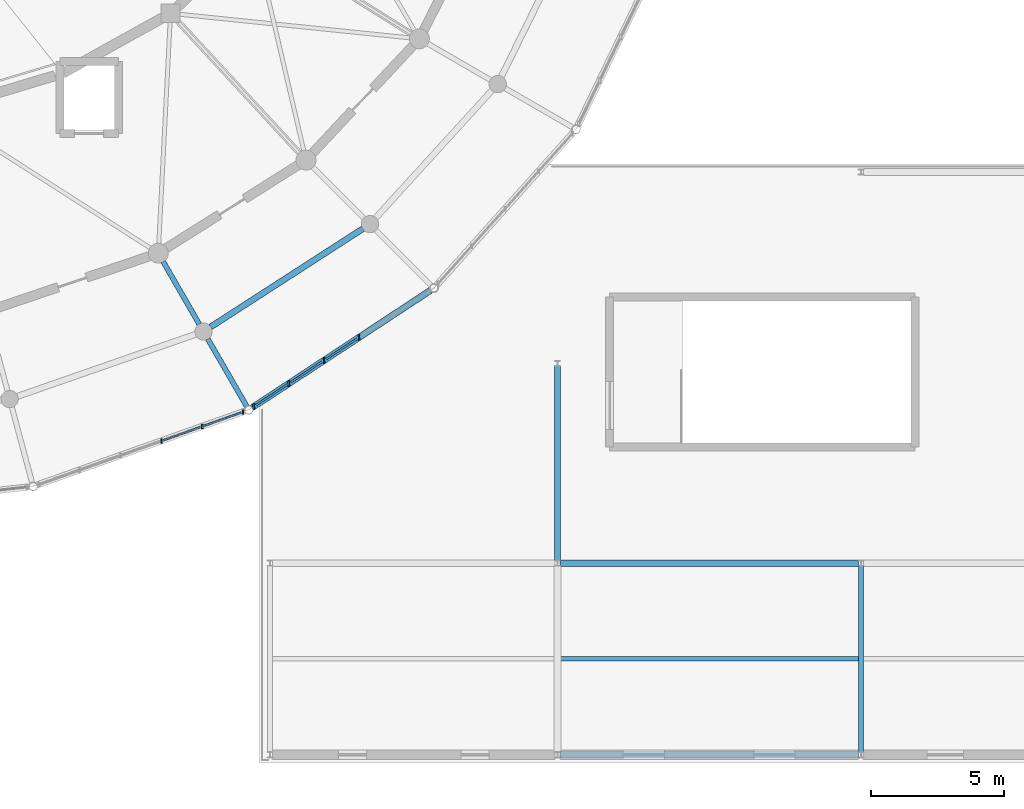
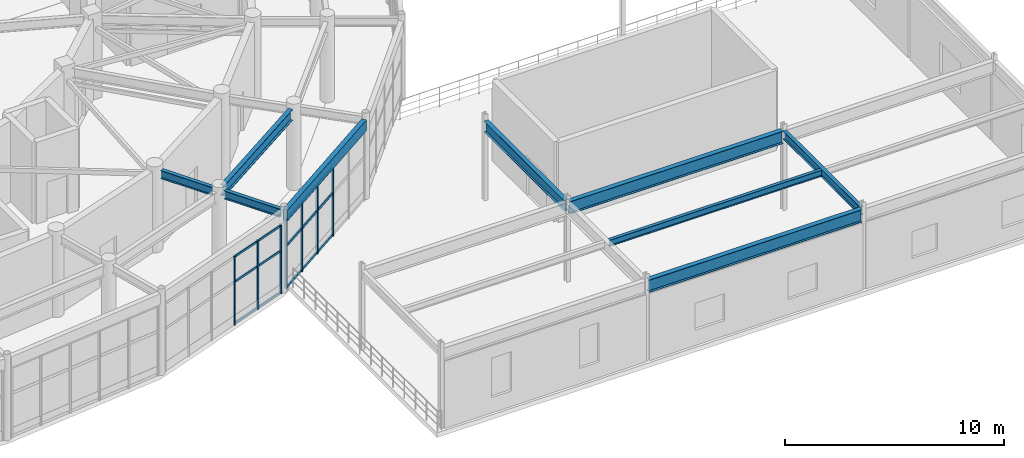
# One storey, part 70 of 144: 22 members, 9 beams, 2 elements without a shape of their own.
"""IFC4 building model written with IfcOpenShell, lengths in metres."""

from ifc_helpers import new_model, si_unit, direction, frame, origin, origin_2d, place, context, subcontext, project, spatial, rectangle, i_section, extrude, material, material_profile, profile_set, type_object, element, aggregate, save


model = new_model("IFC4")

# Units and contexts
model_context = context("Model", 3, precision=1e-05, world=origin(), true_north=direction((0.0, 1.0)))
body_context = subcontext(model_context, "Body", "Model", "MODEL_VIEW")
ifc_project = project(units=[si_unit("LENGTHUNIT", "METRE"), si_unit("AREAUNIT", "SQUARE_METRE"), si_unit("VOLUMEUNIT", "CUBIC_METRE"), si_unit("PLANEANGLEUNIT", "RADIAN"), si_unit("MASSUNIT", "GRAM", prefix="KILO")], contexts=[model_context])

# Site, building, storey
site_placement = place(None, origin())
site = spatial("IfcSite", under=ifc_project, at=site_placement, CompositionType="ELEMENT")
building_placement = place(site_placement, origin())
building = spatial("IfcBuilding", under=site, at=building_placement, Name="Cinderbank Siding Concert Hall", CompositionType="ELEMENT")
storey_placement = place(building_placement, frame((0.0, 0.0, 5.39990234375)))
storey = spatial("IfcBuildingStorey", under=building, at=storey_placement, Name="L02", CompositionType="ELEMENT", Elevation=5.39990234375)

# Beams
ifc_material_1 = material(Name="Structural steel AS/NZS 3679.1 Grade 350 (340 MPa)", Category="steel")
ifc_material_profile_1 = material_profile(ifc_material_1, i_section(OverallWidth=0.18994140625, OverallDepth=0.45751953125, WebThickness=0.009033203125, FlangeThickness=0.014404296875, at=origin_2d()), Name="460UB74.6", Category="LoadBearing")
ifc_profile_set_1 = profile_set([ifc_material_profile_1], Name="Structural steel AS/NZS 3679.1 Grade 350 (340 MPa)")
beam_type_1 = type_object("IfcBeamType", Name="BM-UB460 460UB74.6", PredefinedType="BEAM", material=ifc_profile_set_1)
beam_1_placement = place(storey_placement, frame((161.800048828125, 6.194580078125, 4.223388671875), z_axis=(0.0, 1.0, 0.0), x_axis=(-1.0, 0.0, 0.0)))
element("IfcBeam", 1, at=beam_1_placement, inside=storey, type_object=beam_type_1, Name="L02 Beam BM-UB460 #1603", PredefinedType="BEAM", context=body_context, shape_type="SweptSolid", body=[
    extrude(i_section(OverallWidth=0.18994140625, OverallDepth=0.45751953125, WebThickness=0.009033203125, FlangeThickness=0.014404296875, at=origin_2d()), origin(), (0.0, 0.0, 1.0), 7.010986328125),
])
ifc_material_profile_2 = material_profile(ifc_material_1, i_section(OverallWidth=0.19091796875, OverallDepth=0.46044921875, WebThickness=0.010009765625, FlangeThickness=0.01611328125, at=origin_2d()), Name="460UB82.1", Category="LoadBearing")
ifc_profile_set_2 = profile_set([ifc_material_profile_2], Name="Structural steel AS/NZS 3679.1 Grade 350 (340 MPa)")
beam_type_2 = type_object("IfcBeamType", Name="BM-UB460H 460UB82.1", PredefinedType="BEAM", material=ifc_profile_set_2)
beam_2_placement = place(storey_placement, frame((135.58349609375, 24.629638671875, 4.2919921875), z_axis=(0.499987022033, -0.866032896488, 0.0), x_axis=(0.866032896488, 0.499987022033, 0.0)))
element("IfcBeam", 2, at=beam_2_placement, inside=storey, type_object=beam_type_2, Name="L02 Beam BM-UB460H #516", PredefinedType="BEAM", context=body_context, shape_type="SweptSolid", body=[
    extrude(i_section(OverallWidth=0.19091796875, OverallDepth=0.46044921875, WebThickness=0.010009765625, FlangeThickness=0.01611328125, at=origin_2d()), origin(), (0.0, 0.0, 1.0), 2.7158203125),
])
beam_3_placement = place(storey_placement, frame((137.258544921875, 21.728515625, 4.331787109375), z_axis=(0.499958157915, -0.866049559976, 0.0), x_axis=(0.866049559976, 0.499958157915, 0.0)))
element("IfcBeam", 3, at=beam_3_placement, inside=storey, type_object=beam_type_2, Name="L02 Beam BM-UB460H #541", PredefinedType="BEAM", context=body_context, shape_type="SweptSolid", body=[
    extrude(i_section(OverallWidth=0.19091796875, OverallDepth=0.46044921875, WebThickness=0.010009765625, FlangeThickness=0.01611328125, at=origin_2d()), origin(), (0.0, 0.0, 1.0), 2.928955078125),
])
ifc_material_profile_3 = material_profile(ifc_material_1, i_section(OverallWidth=0.22802734375, OverallDepth=0.602294921875, WebThickness=0.010498046875, FlangeThickness=0.014892578125, at=origin_2d()), Name="610UB101", Category="LoadBearing")
ifc_profile_set_3 = profile_set([ifc_material_profile_3], Name="Structural steel AS/NZS 3679.1 Grade 350 (340 MPa)")
beam_type_3 = type_object("IfcBeamType", Name="BM-UB610 610UB101", PredefinedType="BEAM", material=ifc_profile_set_3)
beam_4_placement = place(storey_placement, frame((150.39990234375, 13.39453125, 4.15087890625), z_axis=(0.0, 1.0, 0.0), x_axis=(-1.0, 0.0, 0.0)))
element("IfcBeam", 4, at=beam_4_placement, inside=storey, type_object=beam_type_3, Name="L02 Beam BM-UB610 #1601", PredefinedType="BEAM", context=body_context, shape_type="SweptSolid", body=[
    extrude(i_section(OverallWidth=0.22802734375, OverallDepth=0.602294921875, WebThickness=0.010498046875, FlangeThickness=0.014892578125, at=origin_2d()), origin(), (0.0, 0.0, 1.0), 7.31103515625),
])
ifc_material_profile_4 = material_profile(ifc_material_1, i_section(OverallWidth=0.22802734375, OverallDepth=0.60693359375, WebThickness=0.01123046875, FlangeThickness=0.017333984375, at=origin_2d()), Name="610UB113", Category="LoadBearing")
ifc_profile_set_4 = profile_set([ifc_material_profile_4], Name="Structural steel AS/NZS 3679.1 Grade 350 (340 MPa)")
beam_type_4 = type_object("IfcBeamType", Name="BM-UB610M 610UB113", PredefinedType="BEAM", material=ifc_profile_set_4)
beam_5_placement = place(storey_placement, frame((137.3662109375, 22.1748046875, 4.218505859375), z_axis=(0.840219727246, 0.542246078775, 0.0), x_axis=(-0.542246078775, 0.840219727246, 0.0)))
element("IfcBeam", 5, at=beam_5_placement, inside=storey, type_object=beam_type_4, Name="L02 Beam BM-UB610M #460", PredefinedType="BEAM", context=body_context, shape_type="SweptSolid", body=[
    extrude(i_section(OverallWidth=0.22802734375, OverallDepth=0.60693359375, WebThickness=0.01123046875, FlangeThickness=0.017333984375, at=origin_2d()), origin(), (0.0, 0.0, 1.0), 6.810302734375),
])
ifc_material_2 = material(Name="Structural steel welded plate section AS/NZS 3679.2 / AS/NZS 3678 Grade 350 (340 MPa)", Category="steel")
ifc_material_profile_5 = material_profile(ifc_material_2, i_section(OverallWidth=0.25, OverallDepth=0.699951171875, WebThickness=0.010009765625, FlangeThickness=0.01611328125, at=origin_2d()), Name="700WB130", Category="LoadBearing")
ifc_profile_set_5 = profile_set([ifc_material_profile_5], Name="Structural steel welded plate section AS/NZS 3679.2 / AS/NZS 3678 Grade 350 (340 MPa)")
beam_type_5 = type_object("IfcBeamType", Name="BM-WB700 700WB130", PredefinedType="BEAM", material=ifc_profile_set_5)
for number, where, z_axis, x_axis, name in (
    (6, (150.494384765625, 6.10009765625, 4.10205078125), (1.0, 0.0, 0.0), (0.0, 1.0, 0.0), "L02 Beam BM-WB700 #1598"),
    (7, (150.494384765625, 13.300048828125, 4.10205078125), (1.0, 0.0, 0.0), (0.0, 1.0, 0.0), "L02 Beam BM-WB700 #1600"),
):
    element("IfcBeam", number, at=place(storey_placement, frame(where, z_axis=z_axis, x_axis=x_axis)), inside=storey, type_object=beam_type_5, Name=name, PredefinedType="BEAM", context=body_context, shape_type="SweptSolid", body=[
        extrude(i_section(OverallWidth=0.25, OverallDepth=0.699951171875, WebThickness=0.010009765625, FlangeThickness=0.01611328125, at=origin_2d()), origin(), (0.0, 0.0, 1.0), 11.211181640625),
    ])

# Curtain wall, members
ifc_material_3 = material(Name="Anodised aluminium alloy 6063-T6", Category="aluminium")
curtain_wall_type_1 = type_object("IfcCurtainWallType", Name="CW-08 Unitised Acoustic Curtain Wall 6400x3800", PredefinedType="NOTDEFINED", material=ifc_material_3)
curtain_wall_1_placement = place(storey_placement, origin())
curtain_wall_1 = element("IfcCurtainWall", 8, at=curtain_wall_1_placement, inside=storey, type_object=curtain_wall_type_1, Name="L02 Curtain Wall CW-08 #20", PredefinedType="NOTDEFINED")
ifc_material_profile_6 = material_profile(ifc_material_3, rectangle(XDim=0.06005859375, YDim=0.159912109375, at=origin_2d()), Name="ALU-MULL-60x160", Category="LoadBearing")
ifc_profile_set_6 = profile_set([ifc_material_profile_6], Name="Anodised aluminium alloy 6063-T6")
member_type_1 = type_object("IfcMemberType", Name="CW-ML1 Mullion 60x160", PredefinedType="MULLION", material=ifc_profile_set_6)
member_1_placement = place(storey_placement, frame((135.515625, 17.892333984375, 0.0), z_axis=(0.0, 0.0, 1.0), x_axis=(1.0, 0.0, 0.0)))
member_1 = element("IfcMember", 9, at=member_1_placement, type_object=member_type_1, Name="CW-L02-020 Mullion 3", PredefinedType="MULLION", context=body_context, shape_type="SweptSolid", body=[
    extrude(rectangle(XDim=0.06005859375, YDim=0.159912109375, at=origin_2d()), origin(), (0.0, 0.0, 1.0), 3.837158203125),
])
member_2_placement = place(storey_placement, frame((137.05078125, 18.4375, 0.0), z_axis=(0.0, 0.0, 1.0), x_axis=(1.0, 0.0, 0.0)))
member_2 = element("IfcMember", 10, at=member_2_placement, type_object=member_type_1, Name="CW-L02-020 Mullion 4", PredefinedType="MULLION", context=body_context, shape_type="SweptSolid", body=[
    extrude(rectangle(XDim=0.06005859375, YDim=0.159912109375, at=origin_2d()), origin(), (0.0, 0.0, 1.0), 3.837158203125),
])
member_3_placement = place(storey_placement, frame((138.586181640625, 18.982666015625, 0.0), z_axis=(0.0, 0.0, 1.0), x_axis=(1.0, 0.0, 0.0)))
member_3 = element("IfcMember", 11, at=member_3_placement, type_object=member_type_1, Name="CW-L02-020 Mullion 5", PredefinedType="MULLION", context=body_context, shape_type="SweptSolid", body=[
    extrude(rectangle(XDim=0.06005859375, YDim=0.159912109375, at=origin_2d()), origin(), (0.0, 0.0, 1.0), 3.837158203125),
])

curtain_wall_type_2 = type_object("IfcCurtainWallType", Name="CW-09 Unitised Acoustic Curtain Wall 8000x3500", PredefinedType="NOTDEFINED", material=ifc_material_3)
curtain_wall_2_placement = place(storey_placement, origin())
curtain_wall_2 = element("IfcCurtainWall", 12, at=curtain_wall_2_placement, inside=storey, type_object=curtain_wall_type_2, Name="L02 Curtain Wall CW-09 #21", PredefinedType="NOTDEFINED")
ifc_material_profile_7 = material_profile(ifc_material_3, rectangle(XDim=0.06494140625, YDim=0.199951171875, at=origin_2d()), Name="ALU-MULL-65x200", Category="LoadBearing")
ifc_profile_set_7 = profile_set([ifc_material_profile_7], Name="Anodised aluminium alloy 6063-T6")
member_type_2 = type_object("IfcMemberType", Name="CW-ML2 Mullion 65x200", PredefinedType="MULLION", material=ifc_profile_set_7)
member_4_placement = place(storey_placement, frame((138.989501953125, 19.18310546875, 0.0), z_axis=(0.0, 0.0, 1.0), x_axis=(1.0, 0.0, 0.0)))
member_4 = element("IfcMember", 13, at=member_4_placement, type_object=member_type_2, Name="CW-L02-021 Mullion 0", PredefinedType="MULLION", context=body_context, shape_type="SweptSolid", body=[
    extrude(rectangle(XDim=0.06494140625, YDim=0.199951171875, at=origin_2d()), origin(), (0.0, 0.0, 1.0), 3.837158203125),
])
member_5_placement = place(storey_placement, frame((140.305419921875, 20.048583984375, 0.0), z_axis=(0.0, 0.0, 1.0), x_axis=(1.0, 0.0, 0.0)))
member_5 = element("IfcMember", 14, at=member_5_placement, type_object=member_type_2, Name="CW-L02-021 Mullion 1", PredefinedType="MULLION", context=body_context, shape_type="SweptSolid", body=[
    extrude(rectangle(XDim=0.06494140625, YDim=0.199951171875, at=origin_2d()), origin(), (0.0, 0.0, 1.0), 3.837158203125),
])
member_6_placement = place(storey_placement, frame((141.621337890625, 20.914306640625, 0.0), z_axis=(0.0, 0.0, 1.0), x_axis=(1.0, 0.0, 0.0)))
member_6 = element("IfcMember", 15, at=member_6_placement, type_object=member_type_2, Name="CW-L02-021 Mullion 2", PredefinedType="MULLION", context=body_context, shape_type="SweptSolid", body=[
    extrude(rectangle(XDim=0.06494140625, YDim=0.199951171875, at=origin_2d()), origin(), (0.0, 0.0, 1.0), 3.837158203125),
])
member_7_placement = place(storey_placement, frame((142.9375, 21.779541015625, 0.0), z_axis=(0.0, 0.0, 1.0), x_axis=(1.0, 0.0, 0.0)))
member_7 = element("IfcMember", 16, at=member_7_placement, type_object=member_type_2, Name="CW-L02-021 Mullion 3", PredefinedType="MULLION", context=body_context, shape_type="SweptSolid", body=[
    extrude(rectangle(XDim=0.06494140625, YDim=0.199951171875, at=origin_2d()), origin(), (0.0, 0.0, 1.0), 3.837158203125),
])

# Member
ifc_material_profile_8 = material_profile(ifc_material_3, rectangle(XDim=0.06005859375, YDim=0.1201171875, at=origin_2d()), Name="ALU-TRAN-60x120", Category="LoadBearing")
ifc_profile_set_8 = profile_set([ifc_material_profile_8], Name="Anodised aluminium alloy 6063-T6")
member_type_3 = type_object("IfcMemberType", Name="CW-TR1 Transom 60x120", PredefinedType="USERDEFINED", material=ifc_profile_set_8)
member_8_placement = place(storey_placement, frame((135.592529296875, 17.919677734375, 0.06005859375), z_axis=(0.942376945381, 0.334552974602, 0.0), x_axis=(-0.334552974602, 0.942376945381, 0.0)))
member_8 = element("IfcMember", 17, at=member_8_placement, type_object=member_type_3, Name="CW-L02-020 Transom 3-0", ObjectType="TRANSOM", PredefinedType="USERDEFINED", context=body_context, shape_type="SweptSolid", body=[
    extrude(rectangle(XDim=0.06005859375, YDim=0.1201171875, at=origin_2d()), origin(), (0.0, 0.0, 1.0), 1.466064453125),
])

member_9_placement = place(storey_placement, frame((135.592529296875, 17.919677734375, 2.37890625), z_axis=(0.942376945381, 0.334552974602, 0.0), x_axis=(-0.334552974602, 0.942376945381, 0.0)))
member_9 = element("IfcMember", 18, at=member_9_placement, type_object=member_type_3, Name="CW-L02-020 Transom 3-1", ObjectType="TRANSOM", PredefinedType="USERDEFINED", context=body_context, shape_type="SweptSolid", body=[
    extrude(rectangle(XDim=0.06005859375, YDim=0.1201171875, at=origin_2d()), origin(), (0.0, 0.0, 1.0), 1.466064453125),
])

member_10_placement = place(storey_placement, frame((135.592529296875, 17.919677734375, 3.777099609375), z_axis=(0.942376945381, 0.334552974602, 0.0), x_axis=(-0.334552974602, 0.942376945381, 0.0)))
member_10 = element("IfcMember", 19, at=member_10_placement, type_object=member_type_3, Name="CW-L02-020 Transom 3-2", ObjectType="TRANSOM", PredefinedType="USERDEFINED", context=body_context, shape_type="SweptSolid", body=[
    extrude(rectangle(XDim=0.06005859375, YDim=0.1201171875, at=origin_2d()), origin(), (0.0, 0.0, 1.0), 1.466064453125),
])

member_11_placement = place(storey_placement, frame((137.127685546875, 18.46484375, 0.06005859375), z_axis=(0.942395579657, 0.334500480482, 0.0), x_axis=(-0.334500480482, 0.942395579657, 0.0)))
member_11 = element("IfcMember", 20, at=member_11_placement, type_object=member_type_3, Name="CW-L02-020 Transom 4-0", ObjectType="TRANSOM", PredefinedType="USERDEFINED", context=body_context, shape_type="SweptSolid", body=[
    extrude(rectangle(XDim=0.06005859375, YDim=0.1201171875, at=origin_2d()), origin(), (0.0, 0.0, 1.0), 1.46630859375),
])

member_12_placement = place(storey_placement, frame((137.127685546875, 18.46484375, 2.37890625), z_axis=(0.942395579657, 0.334500480482, 0.0), x_axis=(-0.334500480482, 0.942395579657, 0.0)))
member_12 = element("IfcMember", 21, at=member_12_placement, type_object=member_type_3, Name="CW-L02-020 Transom 4-1", ObjectType="TRANSOM", PredefinedType="USERDEFINED", context=body_context, shape_type="SweptSolid", body=[
    extrude(rectangle(XDim=0.06005859375, YDim=0.1201171875, at=origin_2d()), origin(), (0.0, 0.0, 1.0), 1.46630859375),
])

member_13_placement = place(storey_placement, frame((137.127685546875, 18.46484375, 3.777099609375), z_axis=(0.942395579657, 0.334500480482, 0.0), x_axis=(-0.334500480482, 0.942395579657, 0.0)))
member_13 = element("IfcMember", 22, at=member_13_placement, type_object=member_type_3, Name="CW-L02-020 Transom 4-2", ObjectType="TRANSOM", PredefinedType="USERDEFINED", context=body_context, shape_type="SweptSolid", body=[
    extrude(rectangle(XDim=0.06005859375, YDim=0.1201171875, at=origin_2d()), origin(), (0.0, 0.0, 1.0), 1.46630859375),
])

aggregate(curtain_wall_1, [member_1, member_2, member_3, member_8, member_9, member_10, member_11, member_12, member_13])

ifc_material_profile_9 = material_profile(ifc_material_3, rectangle(XDim=0.06494140625, YDim=0.14990234375, at=origin_2d()), Name="ALU-TRAN-65x150", Category="LoadBearing")
ifc_profile_set_9 = profile_set([ifc_material_profile_9], Name="Anodised aluminium alloy 6063-T6")
member_type_4 = type_object("IfcMemberType", Name="CW-TR2 Transom 65x150", PredefinedType="USERDEFINED", material=ifc_profile_set_9)
member_14_placement = place(storey_placement, frame((139.055419921875, 19.2265625, 0.06005859375), z_axis=(0.835531529407, 0.549442502331, 0.0), x_axis=(-0.549442502331, 0.835531529407, 0.0)))
member_14 = element("IfcMember", 23, at=member_14_placement, type_object=member_type_4, Name="CW-L02-021 Transom 0-0", ObjectType="TRANSOM", PredefinedType="USERDEFINED", context=body_context, shape_type="SweptSolid", body=[
    extrude(rectangle(XDim=0.06494140625, YDim=0.14990234375, at=origin_2d()), origin(), (0.0, 0.0, 1.0), 1.41748046875),
])

member_15_placement = place(storey_placement, frame((139.055419921875, 19.2265625, 2.37890625), z_axis=(0.835531529407, 0.549442502331, 0.0), x_axis=(-0.549442502331, 0.835531529407, 0.0)))
member_15 = element("IfcMember", 24, at=member_15_placement, type_object=member_type_4, Name="CW-L02-021 Transom 0-1", ObjectType="TRANSOM", PredefinedType="USERDEFINED", context=body_context, shape_type="SweptSolid", body=[
    extrude(rectangle(XDim=0.06494140625, YDim=0.14990234375, at=origin_2d()), origin(), (0.0, 0.0, 1.0), 1.41748046875),
])

member_16_placement = place(storey_placement, frame((139.055419921875, 19.2265625, 3.777099609375), z_axis=(0.835531529407, 0.549442502331, 0.0), x_axis=(-0.549442502331, 0.835531529407, 0.0)))
member_16 = element("IfcMember", 25, at=member_16_placement, type_object=member_type_4, Name="CW-L02-021 Transom 0-2", ObjectType="TRANSOM", PredefinedType="USERDEFINED", context=body_context, shape_type="SweptSolid", body=[
    extrude(rectangle(XDim=0.06494140625, YDim=0.14990234375, at=origin_2d()), origin(), (0.0, 0.0, 1.0), 1.41748046875),
])

member_17_placement = place(storey_placement, frame((140.371337890625, 20.092041015625, 0.06005859375), z_axis=(0.835531529407, 0.549442502331, 0.0), x_axis=(-0.549442502331, 0.835531529407, 0.0)))
member_17 = element("IfcMember", 26, at=member_17_placement, type_object=member_type_4, Name="CW-L02-021 Transom 1-0", ObjectType="TRANSOM", PredefinedType="USERDEFINED", context=body_context, shape_type="SweptSolid", body=[
    extrude(rectangle(XDim=0.06494140625, YDim=0.14990234375, at=origin_2d()), origin(), (0.0, 0.0, 1.0), 1.41748046875),
])

member_18_placement = place(storey_placement, frame((140.371337890625, 20.092041015625, 2.37890625), z_axis=(0.835531529407, 0.549442502331, 0.0), x_axis=(-0.549442502331, 0.835531529407, 0.0)))
member_18 = element("IfcMember", 27, at=member_18_placement, type_object=member_type_4, Name="CW-L02-021 Transom 1-1", ObjectType="TRANSOM", PredefinedType="USERDEFINED", context=body_context, shape_type="SweptSolid", body=[
    extrude(rectangle(XDim=0.06494140625, YDim=0.14990234375, at=origin_2d()), origin(), (0.0, 0.0, 1.0), 1.41748046875),
])

member_19_placement = place(storey_placement, frame((140.371337890625, 20.092041015625, 3.777099609375), z_axis=(0.835531529407, 0.549442502331, 0.0), x_axis=(-0.549442502331, 0.835531529407, 0.0)))
member_19 = element("IfcMember", 28, at=member_19_placement, type_object=member_type_4, Name="CW-L02-021 Transom 1-2", ObjectType="TRANSOM", PredefinedType="USERDEFINED", context=body_context, shape_type="SweptSolid", body=[
    extrude(rectangle(XDim=0.06494140625, YDim=0.14990234375, at=origin_2d()), origin(), (0.0, 0.0, 1.0), 1.41748046875),
])

member_20_placement = place(storey_placement, frame((141.687255859375, 20.95751953125, 0.06005859375), z_axis=(0.835531529407, 0.549442502331, 0.0), x_axis=(-0.549442502331, 0.835531529407, 0.0)))
member_20 = element("IfcMember", 29, at=member_20_placement, type_object=member_type_4, Name="CW-L02-021 Transom 2-0", ObjectType="TRANSOM", PredefinedType="USERDEFINED", context=body_context, shape_type="SweptSolid", body=[
    extrude(rectangle(XDim=0.06494140625, YDim=0.14990234375, at=origin_2d()), origin(), (0.0, 0.0, 1.0), 1.41748046875),
])

member_21_placement = place(storey_placement, frame((141.687255859375, 20.95751953125, 2.37890625), z_axis=(0.835531529407, 0.549442502331, 0.0), x_axis=(-0.549442502331, 0.835531529407, 0.0)))
member_21 = element("IfcMember", 30, at=member_21_placement, type_object=member_type_4, Name="CW-L02-021 Transom 2-1", ObjectType="TRANSOM", PredefinedType="USERDEFINED", context=body_context, shape_type="SweptSolid", body=[
    extrude(rectangle(XDim=0.06494140625, YDim=0.14990234375, at=origin_2d()), origin(), (0.0, 0.0, 1.0), 1.41748046875),
])

member_22_placement = place(storey_placement, frame((141.687255859375, 20.95751953125, 3.777099609375), z_axis=(0.835531529407, 0.549442502331, 0.0), x_axis=(-0.549442502331, 0.835531529407, 0.0)))
member_22 = element("IfcMember", 31, at=member_22_placement, type_object=member_type_4, Name="CW-L02-021 Transom 2-2", ObjectType="TRANSOM", PredefinedType="USERDEFINED", context=body_context, shape_type="SweptSolid", body=[
    extrude(rectangle(XDim=0.06494140625, YDim=0.14990234375, at=origin_2d()), origin(), (0.0, 0.0, 1.0), 1.41748046875),
])

aggregate(curtain_wall_2, [member_4, member_5, member_6, member_7, member_14, member_15, member_16, member_17, member_18, member_19, member_20, member_21, member_22])

# Beams
ifc_material_profile_10 = material_profile(ifc_material_1, i_section(OverallWidth=0.1708984375, OverallDepth=0.35205078125, WebThickness=0.0068359375, FlangeThickness=0.009765625, at=origin_2d()), Name="360UB44.7", Category="LoadBearing")
ifc_profile_set_10 = profile_set([ifc_material_profile_10], Name="Structural steel AS/NZS 3679.1 Grade 350 (340 MPa)")
beam_type_6 = type_object("IfcBeamType", Name="JS-UB360 360UB44.7", PredefinedType="JOIST", material=ifc_profile_set_10)
beam_6_placement = place(storey_placement, frame((150.51708984375, 9.699951171875, 4.276123046875), z_axis=(1.0, 0.0, 0.0), x_axis=(0.0, 1.0, 0.0)))
element("IfcBeam", 32, at=beam_6_placement, inside=storey, type_object=beam_type_6, Name="L02 Beam JS-UB360 #1688", PredefinedType="JOIST", context=body_context, shape_type="SweptSolid", body=[
    extrude(i_section(OverallWidth=0.1708984375, OverallDepth=0.35205078125, WebThickness=0.0068359375, FlangeThickness=0.009765625, at=origin_2d()), origin(), (0.0, 0.0, 1.0), 11.19580078125),
])
ifc_material_4 = material(Name="Spotted gum glulam timber GL18 (42 MPa)", Category="wood")
ifc_material_profile_11 = material_profile(ifc_material_4, rectangle(XDim=0.239990234375, YDim=0.60009765625, at=origin_2d()), Name="GL18-240x600", Category="LoadBearing")
ifc_profile_set_11 = profile_set([ifc_material_profile_11], Name="Spotted gum glulam timber GL18 (42 MPa)")
beam_type_7 = type_object("IfcBeamType", Name="SP-GL600 GL18-240x600", PredefinedType="SPANDREL", material=ifc_profile_set_11)
beam_7_placement = place(storey_placement, frame((138.9287109375, 19.14306640625, 4.152099609375), z_axis=(0.835480702777, 0.549519786074, 0.0), x_axis=(-0.549519786074, 0.835480702777, 0.0)))
element("IfcBeam", 33, at=beam_7_placement, inside=storey, type_object=beam_type_7, Name="L02 Beam SP-GL600 #482", PredefinedType="SPANDREL", context=body_context, shape_type="SweptSolid", body=[
    extrude(rectangle(XDim=0.239990234375, YDim=0.60009765625, at=origin_2d()), origin(), (0.0, 0.0, 1.0), 8.02099609375),
])

save(model, "model.ifc")
